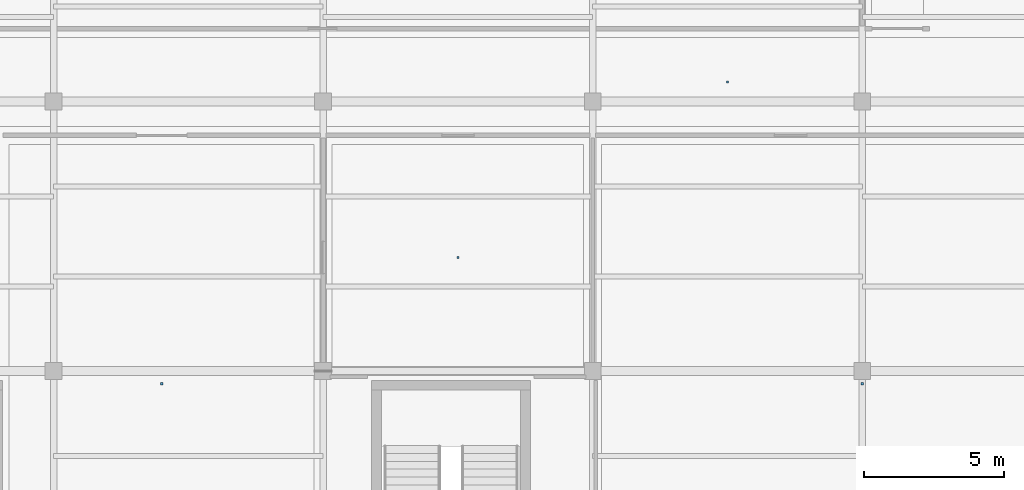
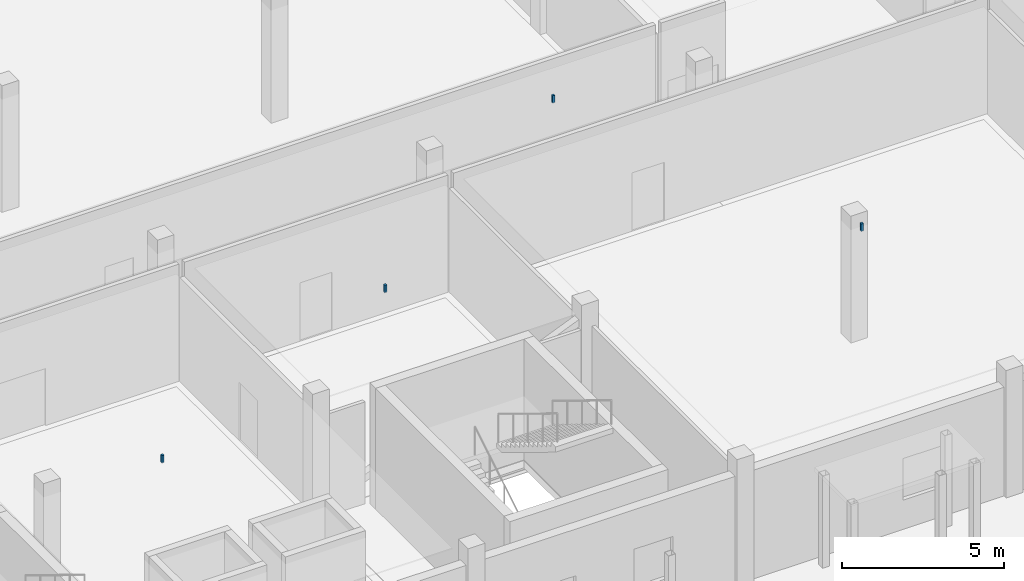
# One storey, part 101 of 116: 4 discrete accessories.
"""IFC4 building model written with IfcOpenShell, lengths in metres."""

import ifcopenshell
import ifcopenshell.guid

model = None  # the IFC model being written
_history = None  # IfcOwnerHistory: only IFC2X3 demands one
_inside = {}  # id of a spatial element -> (the spatial element, [elements in it])
_under = {}  # id of a project, library or spatial element -> (it, [spatial elements below it])
_declared = {}  # id of a project -> (the project, [libraries it declares])
_typed = {}  # id of a type object -> (the type object, [elements of that type])
_made_of = {}  # id of a material, layer set ... -> (it, [elements and type objects made of it])


def new_model(schema):
    """Start an empty IFC model of exactly this schema.

    Asked for "IFC4X3", IfcOpenShell would pick the latest addendum, in which some entities
    have other attributes; the version numbers below select the first issue.
    IFC2X3 requires an IfcOwnerHistory on every rooted entity: one is made here for all.
    """
    global model, _history
    if schema == "IFC4X3":
        model = ifcopenshell.file(schema_version=(4, 3, 0, 0))
    else:
        model = ifcopenshell.file(schema=schema)
    _inside.clear()
    _under.clear()
    _declared.clear()
    _typed.clear()
    _made_of.clear()
    _history = None
    if model.schema == "IFC2X3":
        org = make("IfcOrganization", Name="unknown")
        user = make(
            "IfcPersonAndOrganization",
            ThePerson=make("IfcPerson", FamilyName="unknown"),
            TheOrganization=org,
        )
        app = make(
            "IfcApplication",
            ApplicationDeveloper=org,
            Version="unknown",
            ApplicationFullName="unknown",
            ApplicationIdentifier="unknown",
        )
        _history = make(
            "IfcOwnerHistory",
            OwningUser=user,
            OwningApplication=app,
            ChangeAction="ADDED",
            CreationDate=0,
        )
    return model


def make(cls, **values):
    """One entity of the class cls with the attributes given. An attribute that is None is left unset."""
    return model.create_entity(
        cls, **{name: value for name, value in values.items() if value is not None}
    )


def rooted(cls, **values):
    """An entity with a GlobalId (a new one), such as an element, a storey or a relation."""
    return make(cls, GlobalId=ifcopenshell.guid.new(), OwnerHistory=_history, **values)


def si_unit(unit_type, name, prefix=None):
    """IfcSIUnit, for example si_unit("LENGTHUNIT", "METRE", prefix="MILLI")."""
    return make("IfcSIUnit", UnitType=unit_type, Prefix=prefix, Name=name)


def assignment(units):
    """IfcUnitAssignment: the units of a project."""
    return None if units is None else make("IfcUnitAssignment", Units=units)


def point(xyz):
    """IfcCartesianPoint."""
    return None if xyz is None else make("IfcCartesianPoint", Coordinates=xyz)


def direction(xyz):
    """IfcDirection."""
    return None if xyz is None else make("IfcDirection", DirectionRatios=xyz)


def frame(location, z_axis=None, x_axis=None):
    """IfcAxis2Placement3D, a coordinate frame: its origin and axes. An axis left out is left unset."""
    return make(
        "IfcAxis2Placement3D",
        Location=point(location),
        Axis=direction(z_axis),
        RefDirection=direction(x_axis),
    )


def frame_2d(location, x_axis=None):
    """IfcAxis2Placement2D, a coordinate frame in the plane: its origin and x axis."""
    return make(
        "IfcAxis2Placement2D", Location=point(location), RefDirection=direction(x_axis)
    )


def origin():
    """The frame at (0, 0, 0) with its axes left unset."""
    return frame((0.0, 0.0, 0.0))


def origin_2d():
    """The frame at (0, 0) in the plane with its x axis left unset."""
    return frame_2d((0.0, 0.0))


def place(relative_to, where):
    """IfcLocalPlacement: puts the frame where relative to a parent placement (None: the world)."""
    return make(
        "IfcLocalPlacement", PlacementRelTo=relative_to, RelativePlacement=where
    )


def context(
    kind, dimensions, precision=None, world=None, true_north=None, identifier=None
):
    """IfcGeometricRepresentationContext, for example the 3D "Model" context."""
    return make(
        "IfcGeometricRepresentationContext",
        ContextIdentifier=identifier,
        ContextType=kind,
        CoordinateSpaceDimension=dimensions,
        Precision=precision,
        WorldCoordinateSystem=world,
        TrueNorth=true_north,
    )


def subcontext(parent, identifier, kind, view, scale=None):
    """IfcGeometricRepresentationSubContext, for example "Body" below "Model"."""
    return make(
        "IfcGeometricRepresentationSubContext",
        ContextIdentifier=identifier,
        ContextType=kind,
        ParentContext=parent,
        TargetScale=scale,
        TargetView=view,
    )


def project(units=None, contexts=None):
    """IfcProject with its units and contexts."""
    return rooted(
        "IfcProject",
        Name="project",
        RepresentationContexts=contexts,
        UnitsInContext=assignment(units),
    )


def spatial(cls, under=None, at=None, **own):
    """A site, building, storey or space (cls), placed at a placement, below another one or the project."""
    s = rooted(cls, ObjectPlacement=at, **own)
    if under is not None:
        _under.setdefault(under.id(), (under, []))[1].append(s)
    return s


def profile(cls, at=None, kind="AREA", **sizes):
    """A parametric profile (cls). Its sizes go by their IFC names, for example OverallWidth=200.0."""
    return make(cls, ProfileType=kind, Position=at, **sizes)


def rectangle(**sizes):
    """IfcRectangleProfileDef."""
    return profile("IfcRectangleProfileDef", **sizes)


def extrude(swept, where, along, depth):
    """IfcExtrudedAreaSolid: the profile swept, set in the frame where, extruded along a direction by depth."""
    return make(
        "IfcExtrudedAreaSolid",
        SweptArea=swept,
        Position=where,
        ExtrudedDirection=direction(along),
        Depth=depth,
    )


def shape(context_of_items, identifier, shape_type, items):
    """IfcShapeRepresentation: the items that make up one representation, for example the "Body"."""
    return make(
        "IfcShapeRepresentation",
        ContextOfItems=context_of_items,
        RepresentationIdentifier=identifier,
        RepresentationType=shape_type,
        Items=items,
    )


def material(Name=None, Category=None):
    """IfcMaterial."""
    return make("IfcMaterial", Name=Name, Category=Category)


def made_of(thing, what):
    """Note that an element or type object is made of a material, layer set ...; save() writes the relation."""
    if what is not None:
        _made_of.setdefault(what.id(), (what, []))[1].append(thing)
    return thing


def type_object(cls, material=None, **own):
    """A type object (cls), such as IfcWallType, which elements share."""
    return made_of(rooted(cls, **own), material)


def element(
    cls,
    number,
    at=None,
    inside=None,
    cuts=None,
    type_object=None,
    material=None,
    context=None,
    identifier="Body",
    shape_type=None,
    held_by="IfcProductDefinitionShape",
    body=None,
    shapes=None,
    **own,
):
    """One element of the class cls, such as IfcWall. Its Tag is "e" and its number.

    at: its placement. inside: the storey or other place that contains it. cuts: it is an
    opening in that element (IfcRelVoidsElement). A single representation is given by context,
    identifier, shape_type and body (its items); several are given by shapes. held_by: the class
    of the entity that holds the representations. save() writes the other relations.
    """
    e = rooted(cls, Tag="e%d" % number, ObjectPlacement=at, **own)
    if body is not None:
        shapes = [shape(context, identifier, shape_type, body)]
    if shapes is not None:
        e.Representation = make(held_by, Representations=shapes)
    if inside is not None:
        _inside.setdefault(inside.id(), (inside, []))[1].append(e)
    if cuts is not None:
        rooted(
            "IfcRelVoidsElement", RelatingBuildingElement=cuts, RelatedOpeningElement=e
        )
    if type_object is not None:
        _typed.setdefault(type_object.id(), (type_object, []))[1].append(e)
    return made_of(e, material)


def aggregate(whole, parts):
    """IfcRelAggregates: a whole, such as a stair, and the parts it consists of."""
    return rooted("IfcRelAggregates", RelatingObject=whole, RelatedObjects=parts)


def save(model, path):
    """Write the relations noted so far, then the file.

    IfcRelAggregates (storeys below a building ...), IfcRelContainedInSpatialStructure (elements
    in a storey), IfcRelDefinesByType, IfcRelAssociatesMaterial and IfcRelDeclares: one each for
    every whole, place, type object, material and project.
    """
    for whole, parts in _under.values():
        aggregate(whole, parts)
    for where, things in _inside.values():
        rooted(
            "IfcRelContainedInSpatialStructure",
            RelatedElements=things,
            RelatingStructure=where,
        )
    for kind, things in _typed.values():
        rooted("IfcRelDefinesByType", RelatedObjects=things, RelatingType=kind)
    for what, things in _made_of.values():
        rooted("IfcRelAssociatesMaterial", RelatedObjects=things, RelatingMaterial=what)
    for by, libraries in _declared.values():
        rooted("IfcRelDeclares", RelatingContext=by, RelatedDefinitions=libraries)
    model.write(path)


model = new_model("IFC4")

# Units and contexts
model_context = context("Model", 3, precision=1e-05, world=origin(), true_north=direction((0.0, 1.0)))
body_context = subcontext(model_context, "Body", "Model", "MODEL_VIEW")
ifc_project = project(units=[si_unit("LENGTHUNIT", "METRE"), si_unit("AREAUNIT", "SQUARE_METRE"), si_unit("VOLUMEUNIT", "CUBIC_METRE"), si_unit("PLANEANGLEUNIT", "RADIAN"), si_unit("MASSUNIT", "GRAM", prefix="KILO")], contexts=[model_context])

# Site, building, storey
site_placement = place(None, origin())
site = spatial("IfcSite", under=ifc_project, at=site_placement, CompositionType="ELEMENT")
building_placement = place(site_placement, origin())
building = spatial("IfcBuilding", under=site, at=building_placement, Name="Chalmorin Arch Market", CompositionType="ELEMENT")
storey_placement = place(building_placement, origin())
storey = spatial("IfcBuildingStorey", under=building, at=storey_placement, Name="L00", CompositionType="ELEMENT", Elevation=0.0)

# Discrete accessories
ifc_material = material(Name="Galvanized Cold-Formed Steel", Category="steel")
discrete_accessory_type = type_object("IfcDiscreteAccessoryType", Name="CeilingSuspensionBracket-80x80", PredefinedType="BRACKET", material=ifc_material)
for number, where, z_axis, x_axis, name in (
    (1, (61.449951171875, 81.14990234375, 4.2529296875), (0.0, 0.0, 1.0), (1.0, 0.0, 0.0), "CSB-117"),
    (2, (72.0, 85.64990234375, 4.2529296875), (0.0, 0.0, 1.0), (1.0, 0.0, 0.0), "CSB-119"),
    (3, (86.39990234375, 81.14990234375, 4.2529296875), (0.0, 0.0, 1.0), (1.0, 0.0, 0.0), "CSB-121"),
    (4, (81.60009765625, 91.89990234375, 4.2529296875), (0.0, 0.0, 1.0), (1.0, 0.0, 0.0), "CSB-125"),
):
    element("IfcDiscreteAccessory", number, at=place(storey_placement, frame(where, z_axis=z_axis, x_axis=x_axis)), inside=storey, type_object=discrete_accessory_type, Name=name, PredefinedType="BRACKET", context=body_context, shape_type="SweptSolid", body=[
        extrude(rectangle(XDim=0.080078125, YDim=0.080078125, at=origin_2d()), origin(), (0.0, 0.0, 1.0), 0.277099609375),
    ])

save(model, "model.ifc")
